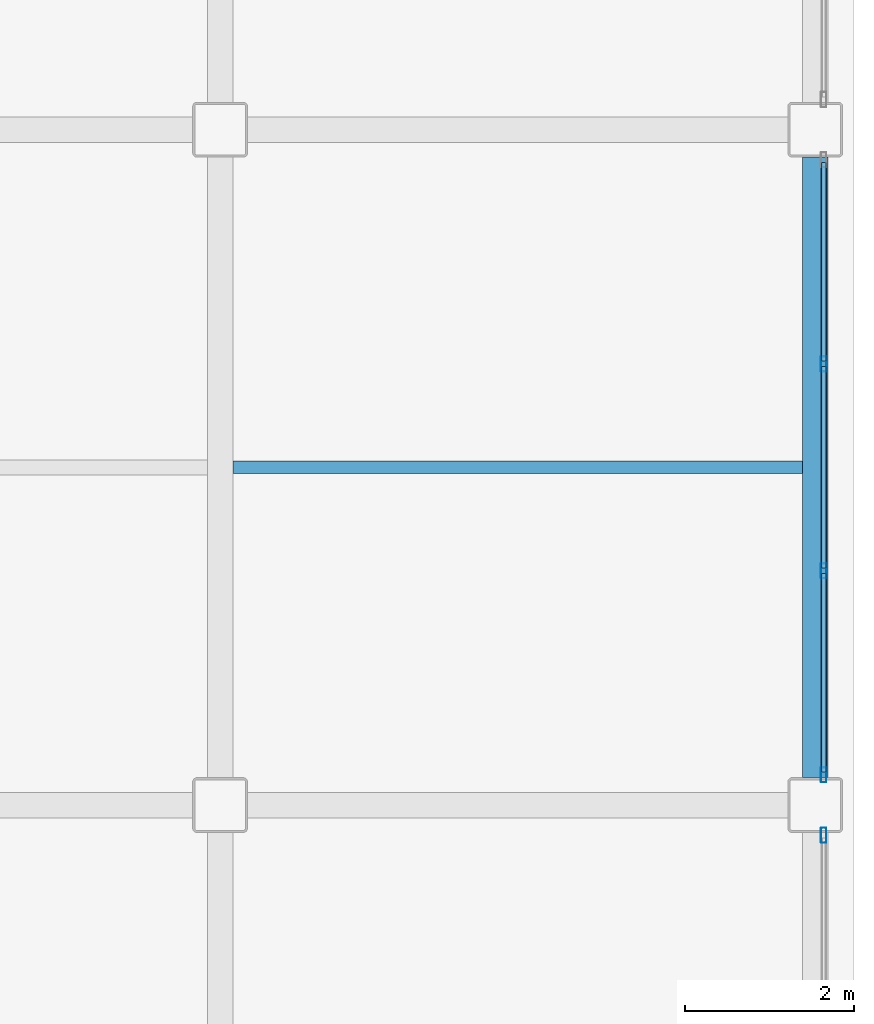
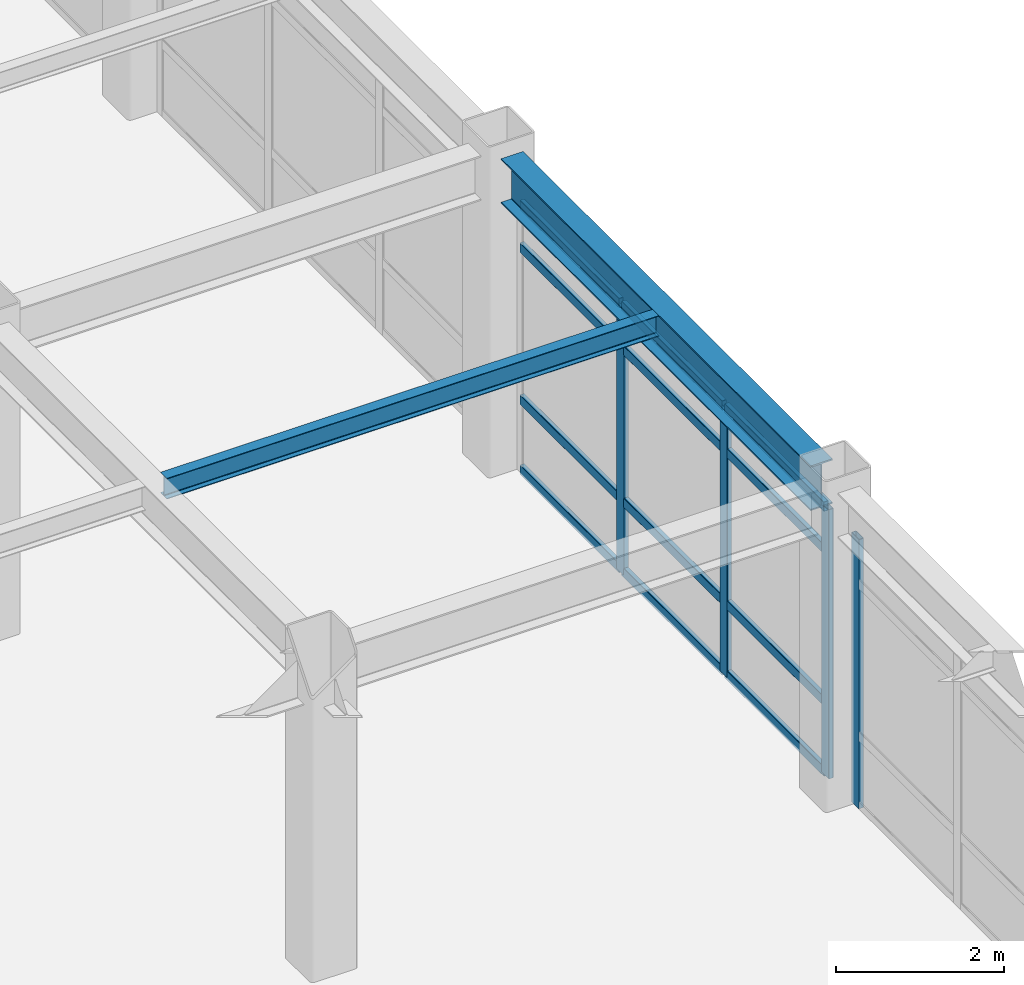
# One storey, part 35 of 61: 16 members, 2 beams, 2 elements without a shape of their own.
"""IFC4 building model written with IfcOpenShell, lengths in metres."""

from ifc_helpers import new_model, si_unit, direction, frame, origin, origin_2d, place, context, subcontext, project, spatial, hollow_rectangle, i_section, extrude, material, layer, layer_set, material_profile, profile_set, type_object, element, aggregate, save


model = new_model("IFC4")

# Units and contexts
model_context = context("Model", 3, precision=1e-05, world=origin(), true_north=direction((0.0, 1.0)))
body_context = subcontext(model_context, "Body", "Model", "MODEL_VIEW")
ifc_project = project(units=[si_unit("LENGTHUNIT", "METRE"), si_unit("AREAUNIT", "SQUARE_METRE"), si_unit("VOLUMEUNIT", "CUBIC_METRE"), si_unit("PLANEANGLEUNIT", "RADIAN"), si_unit("MASSUNIT", "GRAM", prefix="KILO")], contexts=[model_context])

# Site, building, storey
site_placement = place(None, origin())
site = spatial("IfcSite", under=ifc_project, at=site_placement, CompositionType="ELEMENT")
building_placement = place(site_placement, origin())
building = spatial("IfcBuilding", under=site, at=building_placement, Name="Kazehara Bluff Congress Hotel", CompositionType="ELEMENT")
storey_placement = place(building_placement, frame((0.0, 0.0, 19.800048828125)))
storey = spatial("IfcBuildingStorey", under=building, at=storey_placement, Name="L04", CompositionType="ELEMENT", Elevation=19.800048828125)

# Curtain wall, member
ifc_material_1 = material(Name="Anodised aluminium", Category="aluminium")
ifc_layer = layer(ifc_material_1, 0.159912109375)
ifc_layer_set = layer_set([ifc_layer], Name="Anodised aluminium")
curtain_wall_type = type_object("IfcCurtainWallType", Name="TP-CW-162", PredefinedType="NOTDEFINED", material=ifc_layer_set)
curtain_wall_1_placement = place(storey_placement, origin())
curtain_wall_1 = element("IfcCurtainWall", 1, at=curtain_wall_1_placement, inside=storey, type_object=curtain_wall_type, Name="L04 curtain wall CW-162 CW-ENC-V5-L04-16765-8490", PredefinedType="NOTDEFINED")
ifc_material_2 = material(Name="Anodised aluminium", Category="aluminium")
ifc_material_profile_1 = material_profile(ifc_material_2, hollow_rectangle(XDim=0.06494140625, YDim=0.179931640625, WallThickness=0.00390625, InnerFilletRadius=0.00390625, OuterFilletRadius=0.008056640625, at=origin_2d()))
ifc_profile_set_1 = profile_set([ifc_material_profile_1], Name="Anodised aluminium")
member_type_1 = type_object("IfcMemberType", Name="TP-CWM-02", PredefinedType="MULLION", material=ifc_profile_set_1)
member_1_placement = place(storey_placement, frame((167.64990234375, 88.54248046875, 0.0), z_axis=(0.0, 0.0, 1.0), x_axis=(1.0, 0.0, 0.0)))
member_1 = element("IfcMember", 2, at=member_1_placement, type_object=member_type_1, Name="CW-162 mullion 1", PredefinedType="MULLION", context=body_context, shape_type="SweptSolid", body=[
    extrude(hollow_rectangle(XDim=0.06494140625, YDim=0.179931640625, WallThickness=0.00390625, InnerFilletRadius=0.00390625, OuterFilletRadius=0.008056640625, at=origin_2d()), origin(), (0.0, 0.0, 1.0), 3.905029296875),
])
aggregate(curtain_wall_1, [member_1])

# Curtain wall, members
curtain_wall_2_placement = place(storey_placement, origin())
curtain_wall_2 = element("IfcCurtainWall", 3, at=curtain_wall_2_placement, inside=storey, type_object=curtain_wall_type, Name="L04 curtain wall CW-162 CW-ENC-V5-L04-16765-9290", PredefinedType="NOTDEFINED")
member_2_placement = place(storey_placement, frame((167.64990234375, 94.125, 0.0), z_axis=(0.0, 0.0, 1.0), x_axis=(1.0, 0.0, 0.0)))
member_2 = element("IfcMember", 4, at=member_2_placement, type_object=member_type_1, Name="CW-162 mullion 2", PredefinedType="MULLION", context=body_context, shape_type="SweptSolid", body=[
    extrude(hollow_rectangle(XDim=0.06494140625, YDim=0.179931640625, WallThickness=0.00390625, InnerFilletRadius=0.00390625, OuterFilletRadius=0.008056640625, at=origin_2d()), origin(), (0.0, 0.0, 1.0), 3.905029296875),
])
member_3_placement = place(storey_placement, frame((167.64990234375, 91.675048828125, 0.0), z_axis=(0.0, 0.0, 1.0), x_axis=(1.0, 0.0, 0.0)))
member_3 = element("IfcMember", 5, at=member_3_placement, type_object=member_type_1, Name="CW-162 mullion 3", PredefinedType="MULLION", context=body_context, shape_type="SweptSolid", body=[
    extrude(hollow_rectangle(XDim=0.06494140625, YDim=0.179931640625, WallThickness=0.00390625, InnerFilletRadius=0.00390625, OuterFilletRadius=0.008056640625, at=origin_2d()), origin(), (0.0, 0.0, 1.0), 3.905029296875),
])
member_4_placement = place(storey_placement, frame((167.64990234375, 89.257568359375, 0.0), z_axis=(0.0, 0.0, 1.0), x_axis=(1.0, 0.0, 0.0)))
member_4 = element("IfcMember", 6, at=member_4_placement, type_object=member_type_1, Name="CW-162 mullion 4", PredefinedType="MULLION", context=body_context, shape_type="SweptSolid", body=[
    extrude(hollow_rectangle(XDim=0.06494140625, YDim=0.179931640625, WallThickness=0.00390625, InnerFilletRadius=0.00390625, OuterFilletRadius=0.008056640625, at=origin_2d()), origin(), (0.0, 0.0, 1.0), 3.905029296875),
])
ifc_material_3 = material(Name="Anodised aluminium", Category="aluminium")
ifc_material_profile_2 = material_profile(ifc_material_3, hollow_rectangle(XDim=0.06494140625, YDim=0.139892578125, WallThickness=0.00390625, InnerFilletRadius=0.00390625, OuterFilletRadius=0.008056640625, at=origin_2d()))
ifc_profile_set_2 = profile_set([ifc_material_profile_2], Name="Anodised aluminium")
member_type_2 = type_object("IfcMemberType", Name="TP-CWT-02", PredefinedType="USERDEFINED", material=ifc_profile_set_2)
member_5_placement = place(storey_placement, frame((167.64990234375, 96.510009765625, 0.032470703125), z_axis=(0.0, -1.0, 0.0), x_axis=(1.0, 0.0, 0.0)))
member_5 = element("IfcMember", 7, at=member_5_placement, type_object=member_type_2, Name="CW-162 transom 1.1", ObjectType="TRANSOM", PredefinedType="USERDEFINED", context=body_context, shape_type="SweptSolid", body=[
    extrude(hollow_rectangle(XDim=0.06494140625, YDim=0.139892578125, WallThickness=0.00390625, InnerFilletRadius=0.00390625, OuterFilletRadius=0.008056640625, at=origin_2d()), origin(), (0.0, 0.0, 1.0), 2.3525390625),
])
member_6_placement = place(storey_placement, frame((167.64990234375, 96.510009765625, 1.050048828125), z_axis=(0.0, -1.0, 0.0), x_axis=(1.0, 0.0, 0.0)))
member_6 = element("IfcMember", 8, at=member_6_placement, type_object=member_type_2, Name="CW-162 transom 1.2", ObjectType="TRANSOM", PredefinedType="USERDEFINED", context=body_context, shape_type="SweptSolid", body=[
    extrude(hollow_rectangle(XDim=0.06494140625, YDim=0.139892578125, WallThickness=0.00390625, InnerFilletRadius=0.00390625, OuterFilletRadius=0.008056640625, at=origin_2d()), origin(), (0.0, 0.0, 1.0), 2.3525390625),
])
member_7_placement = place(storey_placement, frame((167.64990234375, 96.510009765625, 3.2548828125), z_axis=(0.0, -1.0, 0.0), x_axis=(1.0, 0.0, 0.0)))
member_7 = element("IfcMember", 9, at=member_7_placement, type_object=member_type_2, Name="CW-162 transom 1.3", ObjectType="TRANSOM", PredefinedType="USERDEFINED", context=body_context, shape_type="SweptSolid", body=[
    extrude(hollow_rectangle(XDim=0.06494140625, YDim=0.139892578125, WallThickness=0.00390625, InnerFilletRadius=0.00390625, OuterFilletRadius=0.008056640625, at=origin_2d()), origin(), (0.0, 0.0, 1.0), 2.3525390625),
])
member_8_placement = place(storey_placement, frame((167.64990234375, 96.510009765625, 3.87255859375), z_axis=(0.0, -1.0, 0.0), x_axis=(1.0, 0.0, 0.0)))
member_8 = element("IfcMember", 10, at=member_8_placement, type_object=member_type_2, Name="CW-162 transom 1.4", ObjectType="TRANSOM", PredefinedType="USERDEFINED", context=body_context, shape_type="SweptSolid", body=[
    extrude(hollow_rectangle(XDim=0.06494140625, YDim=0.139892578125, WallThickness=0.00390625, InnerFilletRadius=0.00390625, OuterFilletRadius=0.008056640625, at=origin_2d()), origin(), (0.0, 0.0, 1.0), 2.3525390625),
])
member_9_placement = place(storey_placement, frame((167.64990234375, 94.092529296875, 0.032470703125), z_axis=(0.0, -1.0, 0.0), x_axis=(1.0, 0.0, 0.0)))
member_9 = element("IfcMember", 11, at=member_9_placement, type_object=member_type_2, Name="CW-162 transom 2.1", ObjectType="TRANSOM", PredefinedType="USERDEFINED", context=body_context, shape_type="SweptSolid", body=[
    extrude(hollow_rectangle(XDim=0.06494140625, YDim=0.139892578125, WallThickness=0.00390625, InnerFilletRadius=0.00390625, OuterFilletRadius=0.008056640625, at=origin_2d()), origin(), (0.0, 0.0, 1.0), 2.385009765625),
])
member_10_placement = place(storey_placement, frame((167.64990234375, 94.092529296875, 1.050048828125), z_axis=(0.0, -1.0, 0.0), x_axis=(1.0, 0.0, 0.0)))
member_10 = element("IfcMember", 12, at=member_10_placement, type_object=member_type_2, Name="CW-162 transom 2.2", ObjectType="TRANSOM", PredefinedType="USERDEFINED", context=body_context, shape_type="SweptSolid", body=[
    extrude(hollow_rectangle(XDim=0.06494140625, YDim=0.139892578125, WallThickness=0.00390625, InnerFilletRadius=0.00390625, OuterFilletRadius=0.008056640625, at=origin_2d()), origin(), (0.0, 0.0, 1.0), 2.385009765625),
])
member_11_placement = place(storey_placement, frame((167.64990234375, 94.092529296875, 3.2548828125), z_axis=(0.0, -1.0, 0.0), x_axis=(1.0, 0.0, 0.0)))
member_11 = element("IfcMember", 13, at=member_11_placement, type_object=member_type_2, Name="CW-162 transom 2.3", ObjectType="TRANSOM", PredefinedType="USERDEFINED", context=body_context, shape_type="SweptSolid", body=[
    extrude(hollow_rectangle(XDim=0.06494140625, YDim=0.139892578125, WallThickness=0.00390625, InnerFilletRadius=0.00390625, OuterFilletRadius=0.008056640625, at=origin_2d()), origin(), (0.0, 0.0, 1.0), 2.385009765625),
])
member_12_placement = place(storey_placement, frame((167.64990234375, 94.092529296875, 3.87255859375), z_axis=(0.0, -1.0, 0.0), x_axis=(1.0, 0.0, 0.0)))
member_12 = element("IfcMember", 14, at=member_12_placement, type_object=member_type_2, Name="CW-162 transom 2.4", ObjectType="TRANSOM", PredefinedType="USERDEFINED", context=body_context, shape_type="SweptSolid", body=[
    extrude(hollow_rectangle(XDim=0.06494140625, YDim=0.139892578125, WallThickness=0.00390625, InnerFilletRadius=0.00390625, OuterFilletRadius=0.008056640625, at=origin_2d()), origin(), (0.0, 0.0, 1.0), 2.385009765625),
])
member_13_placement = place(storey_placement, frame((167.64990234375, 91.642578125, 0.032470703125), z_axis=(0.0, -1.0, 0.0), x_axis=(1.0, 0.0, 0.0)))
member_13 = element("IfcMember", 15, at=member_13_placement, type_object=member_type_2, Name="CW-162 transom 3.1", ObjectType="TRANSOM", PredefinedType="USERDEFINED", context=body_context, shape_type="SweptSolid", body=[
    extrude(hollow_rectangle(XDim=0.06494140625, YDim=0.139892578125, WallThickness=0.00390625, InnerFilletRadius=0.00390625, OuterFilletRadius=0.008056640625, at=origin_2d()), origin(), (0.0, 0.0, 1.0), 2.3525390625),
])
member_14_placement = place(storey_placement, frame((167.64990234375, 91.642578125, 1.050048828125), z_axis=(0.0, -1.0, 0.0), x_axis=(1.0, 0.0, 0.0)))
member_14 = element("IfcMember", 16, at=member_14_placement, type_object=member_type_2, Name="CW-162 transom 3.2", ObjectType="TRANSOM", PredefinedType="USERDEFINED", context=body_context, shape_type="SweptSolid", body=[
    extrude(hollow_rectangle(XDim=0.06494140625, YDim=0.139892578125, WallThickness=0.00390625, InnerFilletRadius=0.00390625, OuterFilletRadius=0.008056640625, at=origin_2d()), origin(), (0.0, 0.0, 1.0), 2.3525390625),
])
member_15_placement = place(storey_placement, frame((167.64990234375, 91.642578125, 3.2548828125), z_axis=(0.0, -1.0, 0.0), x_axis=(1.0, 0.0, 0.0)))
member_15 = element("IfcMember", 17, at=member_15_placement, type_object=member_type_2, Name="CW-162 transom 3.3", ObjectType="TRANSOM", PredefinedType="USERDEFINED", context=body_context, shape_type="SweptSolid", body=[
    extrude(hollow_rectangle(XDim=0.06494140625, YDim=0.139892578125, WallThickness=0.00390625, InnerFilletRadius=0.00390625, OuterFilletRadius=0.008056640625, at=origin_2d()), origin(), (0.0, 0.0, 1.0), 2.3525390625),
])
member_16_placement = place(storey_placement, frame((167.64990234375, 91.642578125, 3.87255859375), z_axis=(0.0, -1.0, 0.0), x_axis=(1.0, 0.0, 0.0)))
member_16 = element("IfcMember", 18, at=member_16_placement, type_object=member_type_2, Name="CW-162 transom 3.4", ObjectType="TRANSOM", PredefinedType="USERDEFINED", context=body_context, shape_type="SweptSolid", body=[
    extrude(hollow_rectangle(XDim=0.06494140625, YDim=0.139892578125, WallThickness=0.00390625, InnerFilletRadius=0.00390625, OuterFilletRadius=0.008056640625, at=origin_2d()), origin(), (0.0, 0.0, 1.0), 2.3525390625),
])
aggregate(curtain_wall_2, [member_2, member_3, member_4, member_5, member_6, member_7, member_8, member_9, member_10, member_11, member_12, member_13, member_14, member_15, member_16])

# Beams
ifc_material_4 = material(Name="Steel SN490B", Category="steel")
ifc_material_profile_3 = material_profile(ifc_material_4, i_section(OverallWidth=0.300048828125, OverallDepth=0.64990234375, WebThickness=0.011962890625, FlangeThickness=0.02001953125, FilletRadius=0.012939453125, at=origin_2d()))
ifc_profile_set_3 = profile_set([ifc_material_profile_3], Name="Steel SN490B")
beam_type_1 = type_object("IfcBeamType", Name="TP-G-03", PredefinedType="BEAM", material=ifc_profile_set_3)
beam_1_placement = place(storey_placement, frame((167.550048828125, 89.22509765625, 4.2548828125), z_axis=(0.0, 1.0, 0.0), x_axis=(-1.0, 0.0, 0.0)))
element("IfcBeam", 19, at=beam_1_placement, inside=storey, type_object=beam_type_1, Name="L04 girder G-03 75", PredefinedType="BEAM", context=body_context, shape_type="SweptSolid", body=[
    extrude(i_section(OverallWidth=0.300048828125, OverallDepth=0.64990234375, WebThickness=0.011962890625, FlangeThickness=0.02001953125, FilletRadius=0.012939453125, at=origin_2d()), origin(), (0.0, 0.0, 1.0), 7.349853515625),
])
ifc_material_5 = material(Name="Steel SN400B", Category="steel")
ifc_material_profile_4 = material_profile(ifc_material_5, i_section(OverallWidth=0.14990234375, OverallDepth=0.300048828125, WebThickness=0.006591796875, FlangeThickness=0.009033203125, FilletRadius=0.012939453125, at=origin_2d()))
ifc_profile_set_4 = profile_set([ifc_material_profile_4], Name="Steel SN400B")
beam_type_2 = type_object("IfcBeamType", Name="TP-J-01", PredefinedType="JOIST", material=ifc_profile_set_4)
beam_2_placement = place(storey_placement, frame((160.64990234375, 92.89990234375, 4.429931640625), z_axis=(1.0, 0.0, 0.0), x_axis=(0.0, 1.0, 0.0)))
element("IfcBeam", 20, at=beam_2_placement, inside=storey, type_object=beam_type_2, Name="L04 secondary joist J-01 37", PredefinedType="JOIST", context=body_context, shape_type="SweptSolid", body=[
    extrude(i_section(OverallWidth=0.14990234375, OverallDepth=0.300048828125, WebThickness=0.006591796875, FlangeThickness=0.009033203125, FilletRadius=0.012939453125, at=origin_2d()), origin(), (0.0, 0.0, 1.0), 6.75),
])

save(model, "model.ifc")
